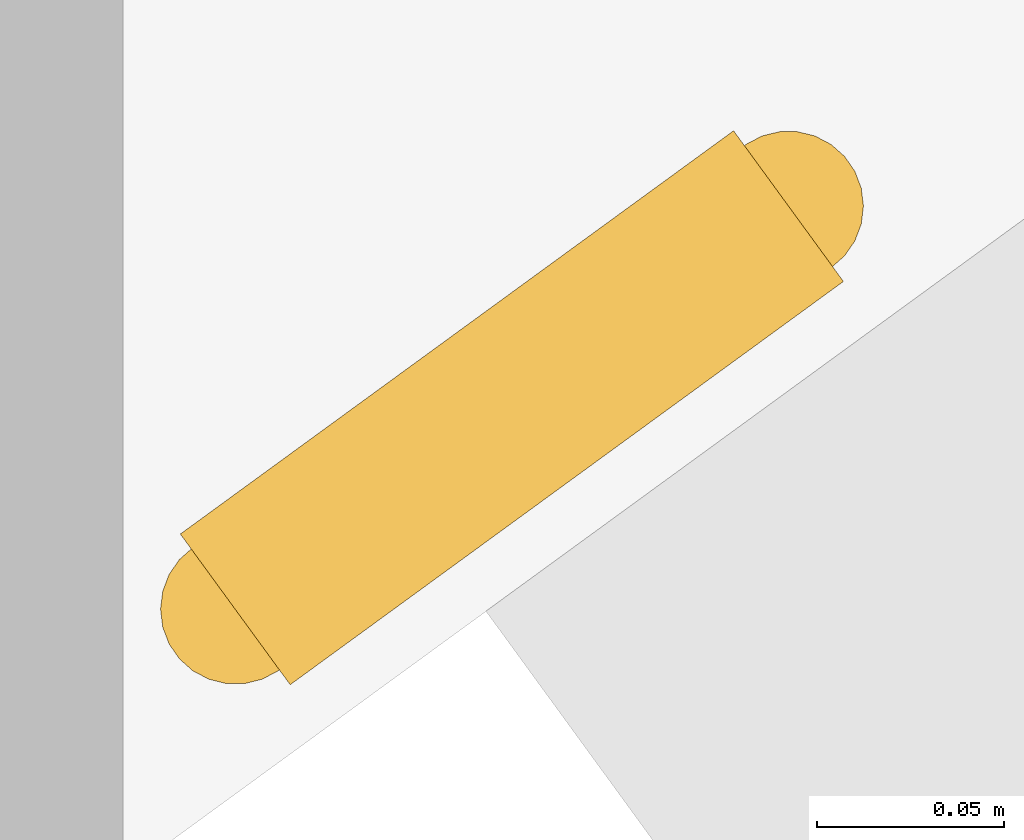
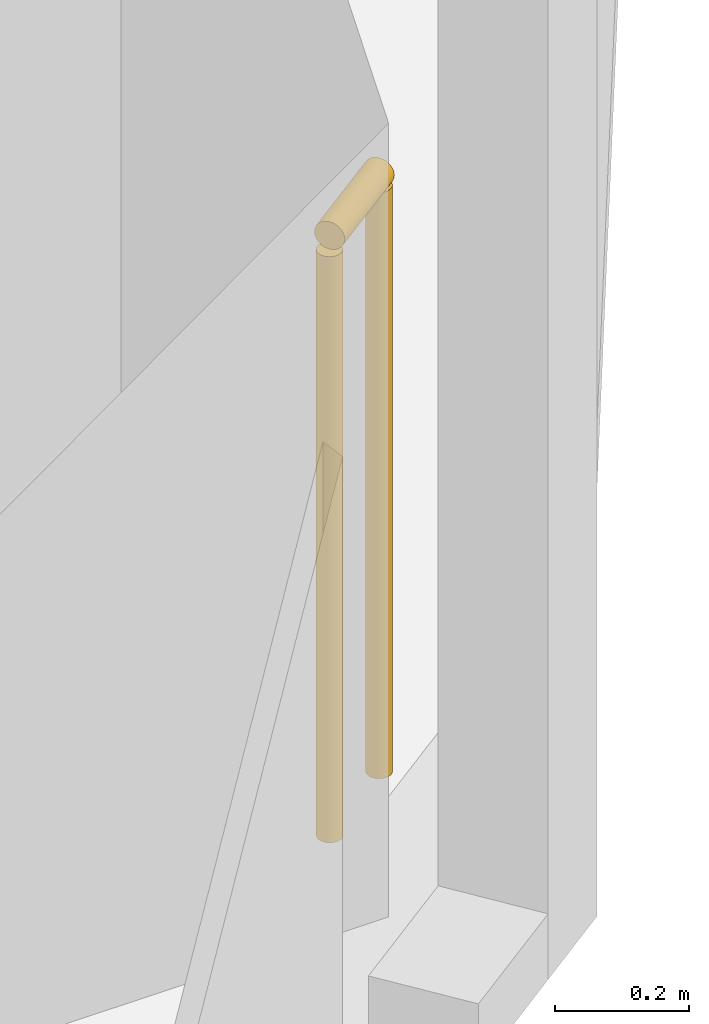
# One storey, part 23 of 23: 1 railing.
"""IFC4 building model written with IfcOpenShell, lengths in metres."""

from ifc_helpers import new_model, si_unit, direction, frame, origin, origin_2d, place, context, subcontext, project, spatial, circle, extrude, material, type_object, element, save


model = new_model("IFC4")

# Units and contexts
model_context = context("Model", 3, precision=1e-05, world=origin(), true_north=direction((0.0, 1.0)))
body_context = subcontext(model_context, "Body", "Model", "MODEL_VIEW")
ifc_project = project(units=[si_unit("LENGTHUNIT", "METRE"), si_unit("AREAUNIT", "SQUARE_METRE"), si_unit("VOLUMEUNIT", "CUBIC_METRE"), si_unit("PLANEANGLEUNIT", "RADIAN"), si_unit("MASSUNIT", "GRAM", prefix="KILO")], contexts=[model_context])

# Site, building, storey
site_placement = place(None, origin())
site = spatial("IfcSite", under=ifc_project, at=site_placement, CompositionType="ELEMENT")
building_placement = place(site_placement, origin())
building = spatial("IfcBuilding", under=site, at=building_placement, Name="Orlundy Tower", CompositionType="ELEMENT")
storey_placement = place(building_placement, frame((0.0, 0.0, 264.0)))
storey = spatial("IfcBuildingStorey", under=building, at=storey_placement, Name="L70", CompositionType="ELEMENT", Elevation=264.0)

# Railing
ifc_material = material(Name="Stainless steel bronze finish", Category="steel")
railing_type = type_object("IfcRailingType", Name="TG1 terrace guard", PredefinedType="GUARDRAIL", material=ifc_material)
railing_placement = place(storey_placement, frame((38.435791015625, -3.45361328125, 0.0)))
element("IfcRailing", 1, at=railing_placement, inside=storey, type_object=railing_type, Name="Guard TG-L70-E10", PredefinedType="GUARDRAIL", context=body_context, shape_type="SweptSolid", body=[
    extrude(circle(Radius=0.02490234375, at=origin_2d()), frame((0.0, 0.0, 1.09521484375), z_axis=(-0.80810025107, -0.589044976399, 0.0), x_axis=(0.589044976399, -0.80810025107, 0.0)), (0.0, 0.0, 1.0), 0.182861328125),
    extrude(circle(Radius=0.02001953125, at=origin_2d()), origin(), (0.0, 0.0, 1.0), 1.070068359375),
    extrude(circle(Radius=0.02001953125, at=origin_2d()), frame((-0.147705078125, -0.107666015625, 0.0)), (0.0, 0.0, 1.0), 1.070068359375),
])

save(model, "model.ifc")
